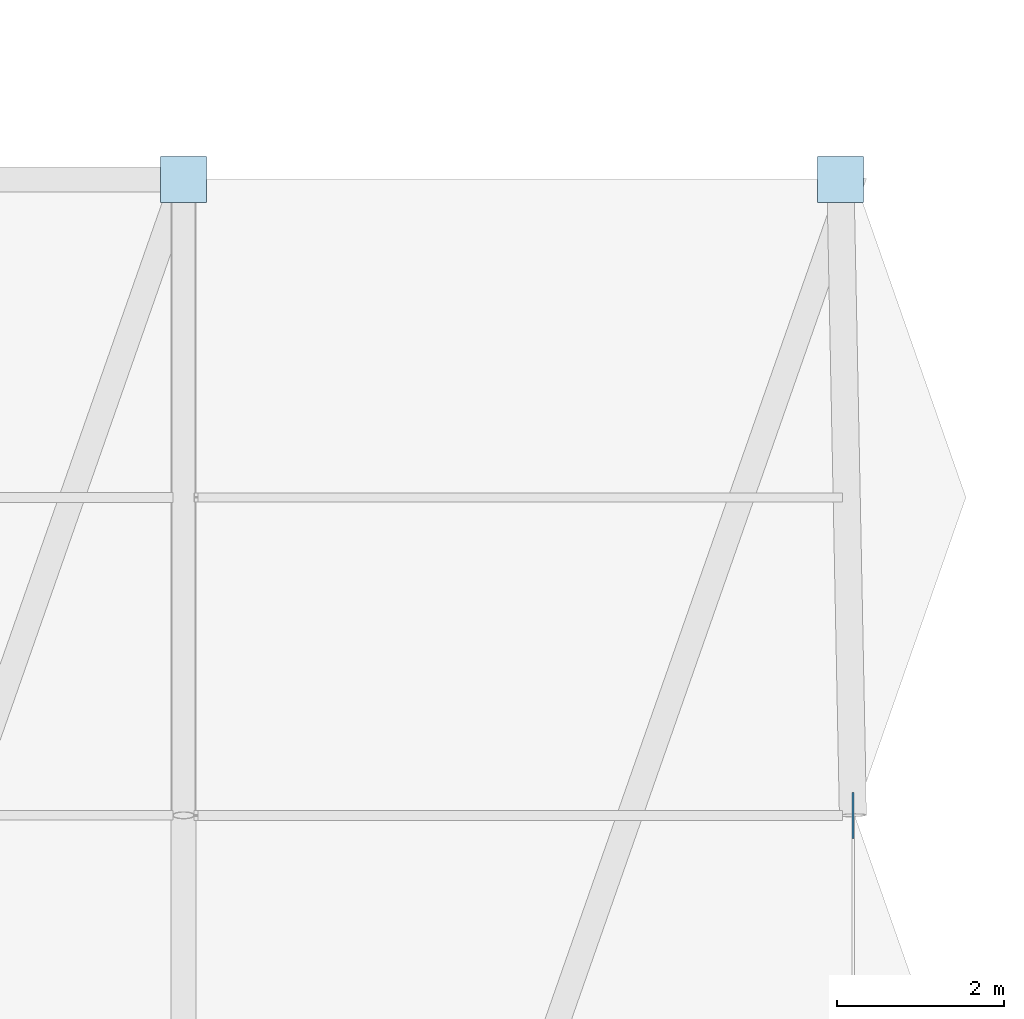
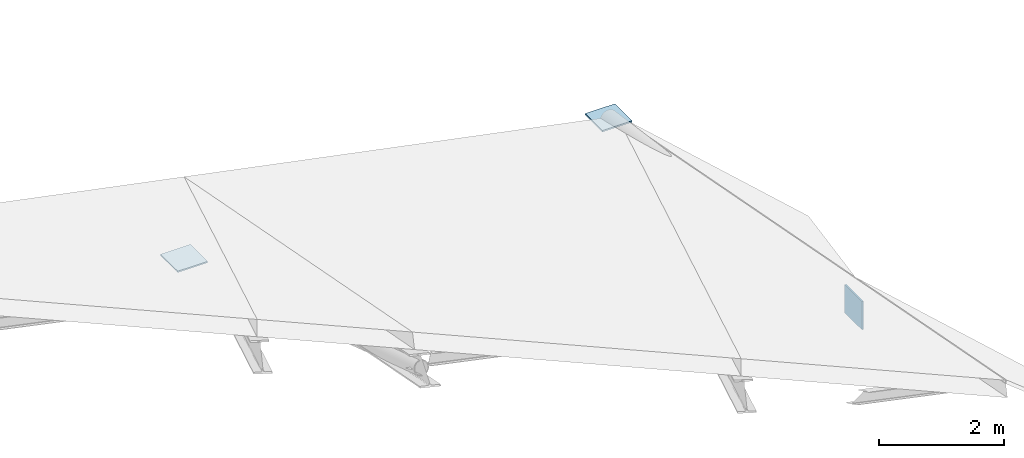
# One storey, part 7 of 9: 3 plates.
"""IFC4 building model written with IfcOpenShell, lengths in metres."""

import ifcopenshell
import ifcopenshell.guid

model = None  # the IFC model being written
_history = None  # IfcOwnerHistory: only IFC2X3 demands one
_inside = {}  # id of a spatial element -> (the spatial element, [elements in it])
_under = {}  # id of a project, library or spatial element -> (it, [spatial elements below it])
_declared = {}  # id of a project -> (the project, [libraries it declares])
_typed = {}  # id of a type object -> (the type object, [elements of that type])
_made_of = {}  # id of a material, layer set ... -> (it, [elements and type objects made of it])


def new_model(schema):
    """Start an empty IFC model of exactly this schema.

    Asked for "IFC4X3", IfcOpenShell would pick the latest addendum, in which some entities
    have other attributes; the version numbers below select the first issue.
    IFC2X3 requires an IfcOwnerHistory on every rooted entity: one is made here for all.
    """
    global model, _history
    if schema == "IFC4X3":
        model = ifcopenshell.file(schema_version=(4, 3, 0, 0))
    else:
        model = ifcopenshell.file(schema=schema)
    _inside.clear()
    _under.clear()
    _declared.clear()
    _typed.clear()
    _made_of.clear()
    _history = None
    if model.schema == "IFC2X3":
        org = make("IfcOrganization", Name="unknown")
        user = make(
            "IfcPersonAndOrganization",
            ThePerson=make("IfcPerson", FamilyName="unknown"),
            TheOrganization=org,
        )
        app = make(
            "IfcApplication",
            ApplicationDeveloper=org,
            Version="unknown",
            ApplicationFullName="unknown",
            ApplicationIdentifier="unknown",
        )
        _history = make(
            "IfcOwnerHistory",
            OwningUser=user,
            OwningApplication=app,
            ChangeAction="ADDED",
            CreationDate=0,
        )
    return model


def make(cls, **values):
    """One entity of the class cls with the attributes given. An attribute that is None is left unset."""
    return model.create_entity(
        cls, **{name: value for name, value in values.items() if value is not None}
    )


def rooted(cls, **values):
    """An entity with a GlobalId (a new one), such as an element, a storey or a relation."""
    return make(cls, GlobalId=ifcopenshell.guid.new(), OwnerHistory=_history, **values)


def si_unit(unit_type, name, prefix=None):
    """IfcSIUnit, for example si_unit("LENGTHUNIT", "METRE", prefix="MILLI")."""
    return make("IfcSIUnit", UnitType=unit_type, Prefix=prefix, Name=name)


def assignment(units):
    """IfcUnitAssignment: the units of a project."""
    return None if units is None else make("IfcUnitAssignment", Units=units)


def point(xyz):
    """IfcCartesianPoint."""
    return None if xyz is None else make("IfcCartesianPoint", Coordinates=xyz)


def direction(xyz):
    """IfcDirection."""
    return None if xyz is None else make("IfcDirection", DirectionRatios=xyz)


def frame(location, z_axis=None, x_axis=None):
    """IfcAxis2Placement3D, a coordinate frame: its origin and axes. An axis left out is left unset."""
    return make(
        "IfcAxis2Placement3D",
        Location=point(location),
        Axis=direction(z_axis),
        RefDirection=direction(x_axis),
    )


def frame_2d(location, x_axis=None):
    """IfcAxis2Placement2D, a coordinate frame in the plane: its origin and x axis."""
    return make(
        "IfcAxis2Placement2D", Location=point(location), RefDirection=direction(x_axis)
    )


def origin():
    """The frame at (0, 0, 0) with its axes left unset."""
    return frame((0.0, 0.0, 0.0))


def origin_2d():
    """The frame at (0, 0) in the plane with its x axis left unset."""
    return frame_2d((0.0, 0.0))


def place(relative_to, where):
    """IfcLocalPlacement: puts the frame where relative to a parent placement (None: the world)."""
    return make(
        "IfcLocalPlacement", PlacementRelTo=relative_to, RelativePlacement=where
    )


def context(
    kind, dimensions, precision=None, world=None, true_north=None, identifier=None
):
    """IfcGeometricRepresentationContext, for example the 3D "Model" context."""
    return make(
        "IfcGeometricRepresentationContext",
        ContextIdentifier=identifier,
        ContextType=kind,
        CoordinateSpaceDimension=dimensions,
        Precision=precision,
        WorldCoordinateSystem=world,
        TrueNorth=true_north,
    )


def subcontext(parent, identifier, kind, view, scale=None):
    """IfcGeometricRepresentationSubContext, for example "Body" below "Model"."""
    return make(
        "IfcGeometricRepresentationSubContext",
        ContextIdentifier=identifier,
        ContextType=kind,
        ParentContext=parent,
        TargetScale=scale,
        TargetView=view,
    )


def project(units=None, contexts=None):
    """IfcProject with its units and contexts."""
    return rooted(
        "IfcProject",
        Name="project",
        RepresentationContexts=contexts,
        UnitsInContext=assignment(units),
    )


def spatial(cls, under=None, at=None, **own):
    """A site, building, storey or space (cls), placed at a placement, below another one or the project."""
    s = rooted(cls, ObjectPlacement=at, **own)
    if under is not None:
        _under.setdefault(under.id(), (under, []))[1].append(s)
    return s


def profile(cls, at=None, kind="AREA", **sizes):
    """A parametric profile (cls). Its sizes go by their IFC names, for example OverallWidth=200.0."""
    return make(cls, ProfileType=kind, Position=at, **sizes)


def rectangle(**sizes):
    """IfcRectangleProfileDef."""
    return profile("IfcRectangleProfileDef", **sizes)


def extrude(swept, where, along, depth):
    """IfcExtrudedAreaSolid: the profile swept, set in the frame where, extruded along a direction by depth."""
    return make(
        "IfcExtrudedAreaSolid",
        SweptArea=swept,
        Position=where,
        ExtrudedDirection=direction(along),
        Depth=depth,
    )


def shape(context_of_items, identifier, shape_type, items):
    """IfcShapeRepresentation: the items that make up one representation, for example the "Body"."""
    return make(
        "IfcShapeRepresentation",
        ContextOfItems=context_of_items,
        RepresentationIdentifier=identifier,
        RepresentationType=shape_type,
        Items=items,
    )


def material(Name=None, Category=None):
    """IfcMaterial."""
    return make("IfcMaterial", Name=Name, Category=Category)


def layer(
    of_material, thickness, ventilated=None, Name=None, Category=None, Priority=None
):
    """IfcMaterialLayer: one layer of a wall or slab, of a material (None: an air gap)."""
    return make(
        "IfcMaterialLayer",
        Material=of_material,
        LayerThickness=thickness,
        IsVentilated=ventilated,
        Name=Name,
        Category=Category,
        Priority=Priority,
    )


def layer_set(layers, Name=None):
    """IfcMaterialLayerSet."""
    return make("IfcMaterialLayerSet", MaterialLayers=layers, LayerSetName=Name)


def made_of(thing, what):
    """Note that an element or type object is made of a material, layer set ...; save() writes the relation."""
    if what is not None:
        _made_of.setdefault(what.id(), (what, []))[1].append(thing)
    return thing


def type_object(cls, material=None, **own):
    """A type object (cls), such as IfcWallType, which elements share."""
    return made_of(rooted(cls, **own), material)


def element(
    cls,
    number,
    at=None,
    inside=None,
    cuts=None,
    type_object=None,
    material=None,
    context=None,
    identifier="Body",
    shape_type=None,
    held_by="IfcProductDefinitionShape",
    body=None,
    shapes=None,
    **own,
):
    """One element of the class cls, such as IfcWall. Its Tag is "e" and its number.

    at: its placement. inside: the storey or other place that contains it. cuts: it is an
    opening in that element (IfcRelVoidsElement). A single representation is given by context,
    identifier, shape_type and body (its items); several are given by shapes. held_by: the class
    of the entity that holds the representations. save() writes the other relations.
    """
    e = rooted(cls, Tag="e%d" % number, ObjectPlacement=at, **own)
    if body is not None:
        shapes = [shape(context, identifier, shape_type, body)]
    if shapes is not None:
        e.Representation = make(held_by, Representations=shapes)
    if inside is not None:
        _inside.setdefault(inside.id(), (inside, []))[1].append(e)
    if cuts is not None:
        rooted(
            "IfcRelVoidsElement", RelatingBuildingElement=cuts, RelatedOpeningElement=e
        )
    if type_object is not None:
        _typed.setdefault(type_object.id(), (type_object, []))[1].append(e)
    return made_of(e, material)


def aggregate(whole, parts):
    """IfcRelAggregates: a whole, such as a stair, and the parts it consists of."""
    return rooted("IfcRelAggregates", RelatingObject=whole, RelatedObjects=parts)


def save(model, path):
    """Write the relations noted so far, then the file.

    IfcRelAggregates (storeys below a building ...), IfcRelContainedInSpatialStructure (elements
    in a storey), IfcRelDefinesByType, IfcRelAssociatesMaterial and IfcRelDeclares: one each for
    every whole, place, type object, material and project.
    """
    for whole, parts in _under.values():
        aggregate(whole, parts)
    for where, things in _inside.values():
        rooted(
            "IfcRelContainedInSpatialStructure",
            RelatedElements=things,
            RelatingStructure=where,
        )
    for kind, things in _typed.values():
        rooted("IfcRelDefinesByType", RelatedObjects=things, RelatingType=kind)
    for what, things in _made_of.values():
        rooted("IfcRelAssociatesMaterial", RelatedObjects=things, RelatingMaterial=what)
    for by, libraries in _declared.values():
        rooted("IfcRelDeclares", RelatingContext=by, RelatedDefinitions=libraries)
    model.write(path)


model = new_model("IFC4")

# Units and contexts
model_context = context("Model", 3, precision=1e-05, world=origin(), true_north=direction((0.0, 1.0)))
body_context = subcontext(model_context, "Body", "Model", "MODEL_VIEW")
ifc_project = project(units=[si_unit("LENGTHUNIT", "METRE"), si_unit("AREAUNIT", "SQUARE_METRE"), si_unit("VOLUMEUNIT", "CUBIC_METRE"), si_unit("PLANEANGLEUNIT", "RADIAN"), si_unit("MASSUNIT", "GRAM", prefix="KILO")], contexts=[model_context])

# Site, building, storey
site_placement = place(None, origin())
site = spatial("IfcSite", under=ifc_project, at=site_placement, CompositionType="ELEMENT")
building_placement = place(site_placement, origin())
building = spatial("IfcBuilding", under=site, at=building_placement, Name="Khelvaren Railside Concert Hall", CompositionType="ELEMENT")
storey_placement = place(building_placement, frame((0.0, 0.0, 29.39990234375)))
storey = spatial("IfcBuildingStorey", under=building, at=storey_placement, Name="ROOF", CompositionType="ELEMENT", Elevation=29.39990234375)

# Plates
ifc_material = material(Name="Steel S355", Category="steel")
ifc_layer = layer(ifc_material, 0.028076171875)
ifc_layer_set = layer_set([ifc_layer], Name="Steel S355")
plate_type = type_object("IfcPlateType", Name="GP71", PredefinedType="USERDEFINED", material=ifc_layer_set)
for number, where, z_axis, x_axis, name in (
    (1, (48.0, 45.60009765625, -2.59912109375), (0.0, 0.0, 1.0), (1.0, 0.0, 0.0), "Crystal Raking Strut Base Plate B7-N"),
    (2, (55.85009765625, 45.60009765625, -2.59912109375), (0.0, 0.0, 1.0), (1.0, 0.0, 0.0), "Crystal Raking Strut Base Plate End-NE"),
):
    element("IfcPlate", number, at=place(storey_placement, frame(where, z_axis=z_axis, x_axis=x_axis)), inside=storey, type_object=plate_type, Name=name, ObjectType="GUSSET PLATE", PredefinedType="USERDEFINED", context=body_context, shape_type="SweptSolid", body=[
        extrude(rectangle(XDim=0.550048828125, YDim=0.550048828125, at=origin_2d()), origin(), (0.0, 0.0, 1.0), 0.028076171875),
    ])
plate_placement = place(storey_placement, frame((56.0, 38.0, -2.0009765625), z_axis=(0.0, 0.0, 1.0), x_axis=(1.0, 0.0, 0.0)))
element("IfcPlate", 3, at=plate_placement, inside=storey, type_object=plate_type, Name="Crystal Raking Strut Top Node Cap End-NE", ObjectType="GUSSET PLATE", PredefinedType="USERDEFINED", context=body_context, shape_type="SweptSolid", body=[
    extrude(rectangle(XDim=0.028076171875, YDim=0.550048828125, at=origin_2d()), origin(), (0.0, 0.0, 1.0), 0.550048828125),
])

save(model, "model.ifc")
